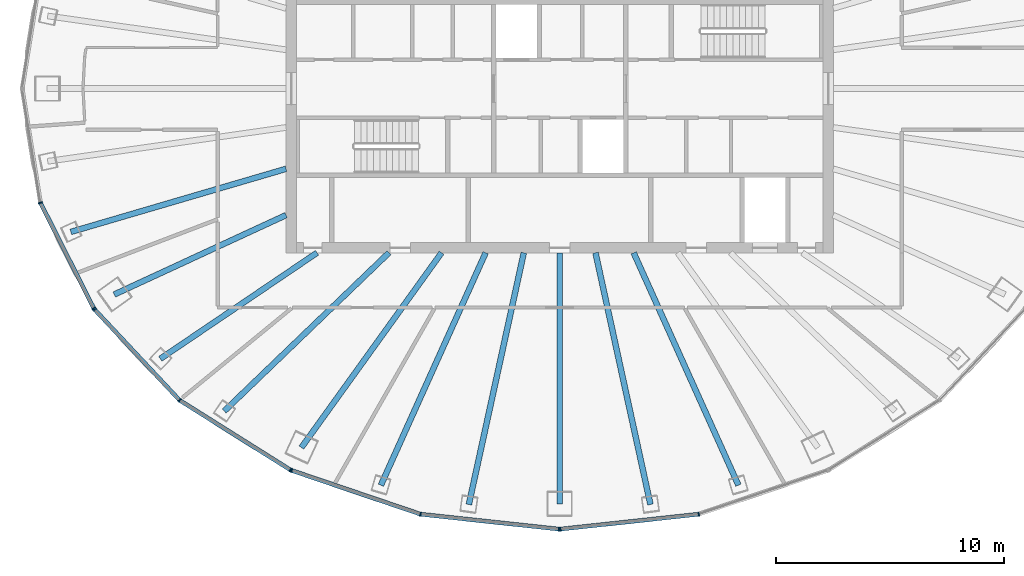
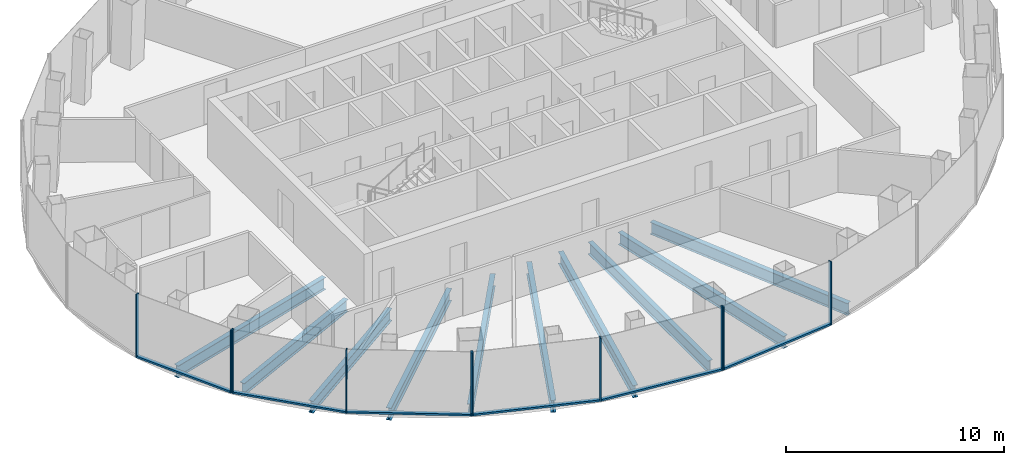
# One storey, part 2 of 13: 16 members, 10 beams, 4 elements without a shape of their own.
"""IFC4 building model written with IfcOpenShell, lengths in metres."""

import ifcopenshell
import ifcopenshell.guid

model = None  # the IFC model being written
_history = None  # IfcOwnerHistory: only IFC2X3 demands one
_inside = {}  # id of a spatial element -> (the spatial element, [elements in it])
_under = {}  # id of a project, library or spatial element -> (it, [spatial elements below it])
_declared = {}  # id of a project -> (the project, [libraries it declares])
_typed = {}  # id of a type object -> (the type object, [elements of that type])
_made_of = {}  # id of a material, layer set ... -> (it, [elements and type objects made of it])


def new_model(schema):
    """Start an empty IFC model of exactly this schema.

    Asked for "IFC4X3", IfcOpenShell would pick the latest addendum, in which some entities
    have other attributes; the version numbers below select the first issue.
    IFC2X3 requires an IfcOwnerHistory on every rooted entity: one is made here for all.
    """
    global model, _history
    if schema == "IFC4X3":
        model = ifcopenshell.file(schema_version=(4, 3, 0, 0))
    else:
        model = ifcopenshell.file(schema=schema)
    _inside.clear()
    _under.clear()
    _declared.clear()
    _typed.clear()
    _made_of.clear()
    _history = None
    if model.schema == "IFC2X3":
        org = make("IfcOrganization", Name="unknown")
        user = make(
            "IfcPersonAndOrganization",
            ThePerson=make("IfcPerson", FamilyName="unknown"),
            TheOrganization=org,
        )
        app = make(
            "IfcApplication",
            ApplicationDeveloper=org,
            Version="unknown",
            ApplicationFullName="unknown",
            ApplicationIdentifier="unknown",
        )
        _history = make(
            "IfcOwnerHistory",
            OwningUser=user,
            OwningApplication=app,
            ChangeAction="ADDED",
            CreationDate=0,
        )
    return model


def make(cls, **values):
    """One entity of the class cls with the attributes given. An attribute that is None is left unset."""
    return model.create_entity(
        cls, **{name: value for name, value in values.items() if value is not None}
    )


def rooted(cls, **values):
    """An entity with a GlobalId (a new one), such as an element, a storey or a relation."""
    return make(cls, GlobalId=ifcopenshell.guid.new(), OwnerHistory=_history, **values)


def si_unit(unit_type, name, prefix=None):
    """IfcSIUnit, for example si_unit("LENGTHUNIT", "METRE", prefix="MILLI")."""
    return make("IfcSIUnit", UnitType=unit_type, Prefix=prefix, Name=name)


def assignment(units):
    """IfcUnitAssignment: the units of a project."""
    return None if units is None else make("IfcUnitAssignment", Units=units)


def point(xyz):
    """IfcCartesianPoint."""
    return None if xyz is None else make("IfcCartesianPoint", Coordinates=xyz)


def direction(xyz):
    """IfcDirection."""
    return None if xyz is None else make("IfcDirection", DirectionRatios=xyz)


def frame(location, z_axis=None, x_axis=None):
    """IfcAxis2Placement3D, a coordinate frame: its origin and axes. An axis left out is left unset."""
    return make(
        "IfcAxis2Placement3D",
        Location=point(location),
        Axis=direction(z_axis),
        RefDirection=direction(x_axis),
    )


def frame_2d(location, x_axis=None):
    """IfcAxis2Placement2D, a coordinate frame in the plane: its origin and x axis."""
    return make(
        "IfcAxis2Placement2D", Location=point(location), RefDirection=direction(x_axis)
    )


def origin():
    """The frame at (0, 0, 0) with its axes left unset."""
    return frame((0.0, 0.0, 0.0))


def origin_2d():
    """The frame at (0, 0) in the plane with its x axis left unset."""
    return frame_2d((0.0, 0.0))


def place(relative_to, where):
    """IfcLocalPlacement: puts the frame where relative to a parent placement (None: the world)."""
    return make(
        "IfcLocalPlacement", PlacementRelTo=relative_to, RelativePlacement=where
    )


def context(
    kind, dimensions, precision=None, world=None, true_north=None, identifier=None
):
    """IfcGeometricRepresentationContext, for example the 3D "Model" context."""
    return make(
        "IfcGeometricRepresentationContext",
        ContextIdentifier=identifier,
        ContextType=kind,
        CoordinateSpaceDimension=dimensions,
        Precision=precision,
        WorldCoordinateSystem=world,
        TrueNorth=true_north,
    )


def subcontext(parent, identifier, kind, view, scale=None):
    """IfcGeometricRepresentationSubContext, for example "Body" below "Model"."""
    return make(
        "IfcGeometricRepresentationSubContext",
        ContextIdentifier=identifier,
        ContextType=kind,
        ParentContext=parent,
        TargetScale=scale,
        TargetView=view,
    )


def project(units=None, contexts=None):
    """IfcProject with its units and contexts."""
    return rooted(
        "IfcProject",
        Name="project",
        RepresentationContexts=contexts,
        UnitsInContext=assignment(units),
    )


def spatial(cls, under=None, at=None, **own):
    """A site, building, storey or space (cls), placed at a placement, below another one or the project."""
    s = rooted(cls, ObjectPlacement=at, **own)
    if under is not None:
        _under.setdefault(under.id(), (under, []))[1].append(s)
    return s


def profile(cls, at=None, kind="AREA", **sizes):
    """A parametric profile (cls). Its sizes go by their IFC names, for example OverallWidth=200.0."""
    return make(cls, ProfileType=kind, Position=at, **sizes)


def rectangle(**sizes):
    """IfcRectangleProfileDef."""
    return profile("IfcRectangleProfileDef", **sizes)


def i_section(**sizes):
    """IfcIShapeProfileDef."""
    return profile("IfcIShapeProfileDef", **sizes)


def extrude(swept, where, along, depth):
    """IfcExtrudedAreaSolid: the profile swept, set in the frame where, extruded along a direction by depth."""
    return make(
        "IfcExtrudedAreaSolid",
        SweptArea=swept,
        Position=where,
        ExtrudedDirection=direction(along),
        Depth=depth,
    )


def shape(context_of_items, identifier, shape_type, items):
    """IfcShapeRepresentation: the items that make up one representation, for example the "Body"."""
    return make(
        "IfcShapeRepresentation",
        ContextOfItems=context_of_items,
        RepresentationIdentifier=identifier,
        RepresentationType=shape_type,
        Items=items,
    )


def material(Name=None, Category=None):
    """IfcMaterial."""
    return make("IfcMaterial", Name=Name, Category=Category)


def layer(
    of_material, thickness, ventilated=None, Name=None, Category=None, Priority=None
):
    """IfcMaterialLayer: one layer of a wall or slab, of a material (None: an air gap)."""
    return make(
        "IfcMaterialLayer",
        Material=of_material,
        LayerThickness=thickness,
        IsVentilated=ventilated,
        Name=Name,
        Category=Category,
        Priority=Priority,
    )


def layer_set(layers, Name=None):
    """IfcMaterialLayerSet."""
    return make("IfcMaterialLayerSet", MaterialLayers=layers, LayerSetName=Name)


def material_profile(
    of_material, cross_section, Name=None, Category=None, Priority=None
):
    """IfcMaterialProfile: a cross section and its material."""
    return make(
        "IfcMaterialProfile",
        Name=Name,
        Material=of_material,
        Profile=cross_section,
        Priority=Priority,
        Category=Category,
    )


def profile_set(profiles, Name=None, composite=None):
    """IfcMaterialProfileSet."""
    return make(
        "IfcMaterialProfileSet",
        Name=Name,
        MaterialProfiles=profiles,
        CompositeProfile=composite,
    )


def made_of(thing, what):
    """Note that an element or type object is made of a material, layer set ...; save() writes the relation."""
    if what is not None:
        _made_of.setdefault(what.id(), (what, []))[1].append(thing)
    return thing


def type_object(cls, material=None, **own):
    """A type object (cls), such as IfcWallType, which elements share."""
    return made_of(rooted(cls, **own), material)


def element(
    cls,
    number,
    at=None,
    inside=None,
    cuts=None,
    type_object=None,
    material=None,
    context=None,
    identifier="Body",
    shape_type=None,
    held_by="IfcProductDefinitionShape",
    body=None,
    shapes=None,
    **own,
):
    """One element of the class cls, such as IfcWall. Its Tag is "e" and its number.

    at: its placement. inside: the storey or other place that contains it. cuts: it is an
    opening in that element (IfcRelVoidsElement). A single representation is given by context,
    identifier, shape_type and body (its items); several are given by shapes. held_by: the class
    of the entity that holds the representations. save() writes the other relations.
    """
    e = rooted(cls, Tag="e%d" % number, ObjectPlacement=at, **own)
    if body is not None:
        shapes = [shape(context, identifier, shape_type, body)]
    if shapes is not None:
        e.Representation = make(held_by, Representations=shapes)
    if inside is not None:
        _inside.setdefault(inside.id(), (inside, []))[1].append(e)
    if cuts is not None:
        rooted(
            "IfcRelVoidsElement", RelatingBuildingElement=cuts, RelatedOpeningElement=e
        )
    if type_object is not None:
        _typed.setdefault(type_object.id(), (type_object, []))[1].append(e)
    return made_of(e, material)


def aggregate(whole, parts):
    """IfcRelAggregates: a whole, such as a stair, and the parts it consists of."""
    return rooted("IfcRelAggregates", RelatingObject=whole, RelatedObjects=parts)


def save(model, path):
    """Write the relations noted so far, then the file.

    IfcRelAggregates (storeys below a building ...), IfcRelContainedInSpatialStructure (elements
    in a storey), IfcRelDefinesByType, IfcRelAssociatesMaterial and IfcRelDeclares: one each for
    every whole, place, type object, material and project.
    """
    for whole, parts in _under.values():
        aggregate(whole, parts)
    for where, things in _inside.values():
        rooted(
            "IfcRelContainedInSpatialStructure",
            RelatedElements=things,
            RelatingStructure=where,
        )
    for kind, things in _typed.values():
        rooted("IfcRelDefinesByType", RelatedObjects=things, RelatingType=kind)
    for what, things in _made_of.values():
        rooted("IfcRelAssociatesMaterial", RelatedObjects=things, RelatingMaterial=what)
    for by, libraries in _declared.values():
        rooted("IfcRelDeclares", RelatingContext=by, RelatedDefinitions=libraries)
    model.write(path)


model = new_model("IFC4")

# Units and contexts
model_context = context("Model", 3, precision=1e-05, world=origin(), true_north=direction((0.0, 1.0)))
body_context = subcontext(model_context, "Body", "Model", "MODEL_VIEW")
ifc_project = project(units=[si_unit("LENGTHUNIT", "METRE"), si_unit("AREAUNIT", "SQUARE_METRE"), si_unit("VOLUMEUNIT", "CUBIC_METRE"), si_unit("PLANEANGLEUNIT", "RADIAN"), si_unit("MASSUNIT", "GRAM", prefix="KILO")], contexts=[model_context])

# Site, building, storey
site_placement = place(None, origin())
site = spatial("IfcSite", under=ifc_project, at=site_placement, CompositionType="ELEMENT")
building_placement = place(site_placement, origin())
building = spatial("IfcBuilding", under=site, at=building_placement, Name="Siaravel Broadcast Tower", CompositionType="ELEMENT")
storey_placement = place(building_placement, frame((0.0, 0.0, 171.89990234375)))
storey = spatial("IfcBuildingStorey", under=building, at=storey_placement, Name="L41", CompositionType="ELEMENT", Elevation=171.89990234375)

# Beams
ifc_material_1 = material(Name="Steel S355", Category="steel")
ifc_material_profile_1 = material_profile(ifc_material_1, i_section(OverallWidth=0.2529296875, OverallDepth=0.677978515625, WebThickness=0.01171875, FlangeThickness=0.01611328125, FilletRadius=0.01513671875, at=origin_2d()))
ifc_profile_set_1 = profile_set([ifc_material_profile_1], Name="Steel S355")
beam_type = type_object("IfcBeamType", Name="BM-UB 686x254x125", PredefinedType="BEAM", material=ifc_profile_set_1)
beam_1_placement = place(storey_placement, frame((-21.438720703125, -6.28466796875, -0.489013671875), z_axis=(0.959619649, 0.281300781, 0.0), x_axis=(-0.281300781, 0.959619649, 0.0)))
element("IfcBeam", 1, at=beam_1_placement, inside=storey, type_object=beam_type, Name="Radial beam RB21", PredefinedType="BEAM", context=body_context, shape_type="SweptSolid", body=[
    extrude(i_section(OverallWidth=0.2529296875, OverallDepth=0.677978515625, WebThickness=0.01171875, FlangeThickness=0.01611328125, FilletRadius=0.01513671875, at=origin_2d()), origin(), (0.0, 0.0, 1.0), 9.8359375),
])
beam_2_placement = place(storey_placement, frame((-19.53271484375, -9.02880859375, -0.489013671875), z_axis=(0.907716412, 0.419584218, 0.0), x_axis=(-0.419584218, 0.907716412, 0.0)))
element("IfcBeam", 2, at=beam_2_placement, inside=storey, type_object=beam_type, Name="Radial beam RB22", PredefinedType="BEAM", context=body_context, shape_type="SweptSolid", body=[
    extrude(i_section(OverallWidth=0.2529296875, OverallDepth=0.677978515625, WebThickness=0.01171875, FlangeThickness=0.01611328125, FilletRadius=0.01513671875, at=origin_2d()), origin(), (0.0, 0.0, 1.0), 8.298583984375),
])
beam_3_placement = place(storey_placement, frame((-17.51416015625, -11.849609375, -0.489013671875), z_axis=(0.828232804, 0.560384175, 0.0), x_axis=(-0.560384175, 0.828232804, 0.0)))
element("IfcBeam", 3, at=beam_3_placement, inside=storey, type_object=beam_type, Name="Radial beam RB23", PredefinedType="BEAM", context=body_context, shape_type="SweptSolid", body=[
    extrude(i_section(OverallWidth=0.2529296875, OverallDepth=0.677978515625, WebThickness=0.01171875, FlangeThickness=0.01611328125, FilletRadius=0.01513671875, at=origin_2d()), origin(), (0.0, 0.0, 1.0), 8.29736328125),
])
beam_4_placement = place(storey_placement, frame((-14.7119140625, -14.14453125, -0.489013671875), z_axis=(0.72087052, 0.693069761, 0.0), x_axis=(-0.693069761, 0.72087052, 0.0)))
element("IfcBeam", 4, at=beam_4_placement, inside=storey, type_object=beam_type, Name="Radial beam RB24", PredefinedType="BEAM", context=body_context, shape_type="SweptSolid", body=[
    extrude(i_section(OverallWidth=0.2529296875, OverallDepth=0.677978515625, WebThickness=0.01171875, FlangeThickness=0.01611328125, FilletRadius=0.01513671875, at=origin_2d()), origin(), (0.0, 0.0, 1.0), 10.02001953125),
])
beam_5_placement = place(storey_placement, frame((-11.326171875, -15.74169921875, -0.489013671875), z_axis=(0.584035158, 0.811728362, 0.0), x_axis=(-0.811728362, 0.584035158, 0.0)))
element("IfcBeam", 5, at=beam_5_placement, inside=storey, type_object=beam_type, Name="Radial beam RB25", PredefinedType="BEAM", context=body_context, shape_type="SweptSolid", body=[
    extrude(i_section(OverallWidth=0.2529296875, OverallDepth=0.677978515625, WebThickness=0.01171875, FlangeThickness=0.01611328125, FilletRadius=0.01513671875, at=origin_2d()), origin(), (0.0, 0.0, 1.0), 10.52294921875),
])
beam_6_placement = place(storey_placement, frame((-7.840576171875, -17.39306640625, -0.489013671875), z_axis=(0.410964722, 0.911651247, 0.0), x_axis=(-0.911651247, 0.410964722, 0.0)))
element("IfcBeam", 6, at=beam_6_placement, inside=storey, type_object=beam_type, Name="Radial beam RB26", PredefinedType="BEAM", context=body_context, shape_type="SweptSolid", body=[
    extrude(i_section(OverallWidth=0.2529296875, OverallDepth=0.677978515625, WebThickness=0.01171875, FlangeThickness=0.01611328125, FilletRadius=0.01513671875, at=origin_2d()), origin(), (0.0, 0.0, 1.0), 11.180908203125),
])
beam_7_placement = place(storey_placement, frame((-3.982421875, -18.23974609375, -0.489013671875), z_axis=(0.21331219, 0.976984089, 0.0), x_axis=(-0.976984089, 0.21331219, 0.0)))
element("IfcBeam", 7, at=beam_7_placement, inside=storey, type_object=beam_type, Name="Radial beam RB27", PredefinedType="BEAM", context=body_context, shape_type="SweptSolid", body=[
    extrude(i_section(OverallWidth=0.2529296875, OverallDepth=0.677978515625, WebThickness=0.01171875, FlangeThickness=0.01611328125, FilletRadius=0.01513671875, at=origin_2d()), origin(), (0.0, 0.0, 1.0), 11.2998046875),
])
beam_8_placement = place(storey_placement, frame((0.0, -18.22509765625, -0.489013671875), z_axis=(0.0, 1.0, 0.0), x_axis=(-1.0, 0.0, 0.0)))
element("IfcBeam", 8, at=beam_8_placement, inside=storey, type_object=beam_type, Name="Radial beam RB28", PredefinedType="BEAM", context=body_context, shape_type="SweptSolid", body=[
    extrude(i_section(OverallWidth=0.2529296875, OverallDepth=0.677978515625, WebThickness=0.01171875, FlangeThickness=0.01611328125, FilletRadius=0.01513671875, at=origin_2d()), origin(), (0.0, 0.0, 1.0), 11.025146484375),
])
beam_9_placement = place(storey_placement, frame((3.982421875, -18.23974609375, -0.489013671875), z_axis=(-0.21331219, 0.976984089, 0.0), x_axis=(-0.976984089, -0.21331219, 0.0)))
element("IfcBeam", 9, at=beam_9_placement, inside=storey, type_object=beam_type, Name="Radial beam RB29", PredefinedType="BEAM", context=body_context, shape_type="SweptSolid", body=[
    extrude(i_section(OverallWidth=0.2529296875, OverallDepth=0.677978515625, WebThickness=0.01171875, FlangeThickness=0.01611328125, FilletRadius=0.01513671875, at=origin_2d()), origin(), (0.0, 0.0, 1.0), 11.2998046875),
])
beam_10_placement = place(storey_placement, frame((7.840576171875, -17.39306640625, -0.489013671875), z_axis=(-0.410964722, 0.911651247, 0.0), x_axis=(-0.911651247, -0.410964722, 0.0)))
element("IfcBeam", 10, at=beam_10_placement, inside=storey, type_object=beam_type, Name="Radial beam RB30", PredefinedType="BEAM", context=body_context, shape_type="SweptSolid", body=[
    extrude(i_section(OverallWidth=0.2529296875, OverallDepth=0.677978515625, WebThickness=0.01171875, FlangeThickness=0.01611328125, FilletRadius=0.01513671875, at=origin_2d()), origin(), (0.0, 0.0, 1.0), 11.180908203125),
])

# Curtain wall, members
ifc_material_2 = material(Name="Aluminium 6063-T6", Category="aluminium")
ifc_layer = layer(ifc_material_2, 0.179931640625)
ifc_layer_set = layer_set([ifc_layer], Name="Aluminium 6063-T6")
curtain_wall_type = type_object("IfcCurtainWallType", Name="Unitised curtain wall, zone 3", PredefinedType="NOTDEFINED", material=ifc_layer_set)
curtain_wall_1_placement = place(storey_placement, origin())
curtain_wall_1 = element("IfcCurtainWall", 11, at=curtain_wall_1_placement, inside=storey, type_object=curtain_wall_type, Name="L41 Unitised curtain wall, zone 3 07", PredefinedType="NOTDEFINED")
ifc_material_profile_2 = material_profile(ifc_material_2, rectangle(XDim=0.179931640625, YDim=0.06005859375, at=origin_2d()))
ifc_profile_set_2 = profile_set([ifc_material_profile_2], Name="Aluminium 6063-T6")
member_type_1 = type_object("IfcMemberType", Name="CW-Z3 mullion", PredefinedType="MULLION", material=ifc_profile_set_2)
member_1_placement = place(storey_placement, frame((-22.7744140625, -5.003662109375, 0.0), z_axis=(0.0, 0.0, 1.0), x_axis=(0.951177137, 0.308645515, 0.0)))
member_1 = element("IfcMember", 12, at=member_1_placement, type_object=member_type_1, Name="CW-Z3 mullion 2", PredefinedType="MULLION", context=body_context, shape_type="SweptSolid", body=[
    extrude(rectangle(XDim=0.179931640625, YDim=0.06005859375, at=origin_2d()), origin(), (0.0, 0.0, 1.0), 3.550048828125),
])
member_2_placement = place(storey_placement, frame((-20.430908203125, -9.63818359375, 0.0), z_axis=(0.0, 0.0, 1.0), x_axis=(0.892391915, 0.4512612, 0.0)))
member_2 = element("IfcMember", 13, at=member_2_placement, type_object=member_type_1, Name="CW-Z3 mullion 3", PredefinedType="MULLION", context=body_context, shape_type="SweptSolid", body=[
    extrude(rectangle(XDim=0.179931640625, YDim=0.06005859375, at=origin_2d()), origin(), (0.0, 0.0, 1.0), 3.550048828125),
])

curtain_wall_2_placement = place(storey_placement, origin())
curtain_wall_2 = element("IfcCurtainWall", 14, at=curtain_wall_2_placement, inside=storey, type_object=curtain_wall_type, Name="L41 Unitised curtain wall, zone 3 08", PredefinedType="NOTDEFINED")
member_3_placement = place(storey_placement, frame((-20.396728515625, -9.68701171875, 0.0), z_axis=(0.0, 0.0, 1.0), x_axis=(0.729804878, 0.683655498, 0.0)))
member_3 = element("IfcMember", 15, at=member_3_placement, type_object=member_type_1, Name="CW-Z3 mullion 1", PredefinedType="MULLION", context=body_context, shape_type="SweptSolid", body=[
    extrude(rectangle(XDim=0.179931640625, YDim=0.06005859375, at=origin_2d()), origin(), (0.0, 0.0, 1.0), 3.550048828125),
])
member_4_placement = place(storey_placement, frame((-16.6689453125, -13.66650390625, 0.0), z_axis=(0.0, 0.0, 1.0), x_axis=(0.63621823, 0.771509147, 0.0)))
member_4 = element("IfcMember", 16, at=member_4_placement, type_object=member_type_1, Name="CW-Z3 mullion 2", PredefinedType="MULLION", context=body_context, shape_type="SweptSolid", body=[
    extrude(rectangle(XDim=0.179931640625, YDim=0.06005859375, at=origin_2d()), origin(), (0.0, 0.0, 1.0), 3.550048828125),
])
member_5_placement = place(storey_placement, frame((-11.81103515625, -16.7197265625, 0.0), z_axis=(0.0, 0.0, 1.0), x_axis=(0.532148789, 0.846650852, 0.0)))
member_5 = element("IfcMember", 17, at=member_5_placement, type_object=member_type_1, Name="CW-Z3 mullion 3", PredefinedType="MULLION", context=body_context, shape_type="SweptSolid", body=[
    extrude(rectangle(XDim=0.179931640625, YDim=0.06005859375, at=origin_2d()), origin(), (0.0, 0.0, 1.0), 3.550048828125),
])

curtain_wall_3_placement = place(storey_placement, origin())
curtain_wall_3 = element("IfcCurtainWall", 18, at=curtain_wall_3_placement, inside=storey, type_object=curtain_wall_type, Name="L41 Unitised curtain wall, zone 3 09", PredefinedType="NOTDEFINED")
member_6_placement = place(storey_placement, frame((-11.75732421875, -16.745361328125, 0.0), z_axis=(0.0, 0.0, 1.0), x_axis=(0.321300283, 0.946977364, 0.0)))
member_6 = element("IfcMember", 19, at=member_6_placement, type_object=member_type_1, Name="CW-Z3 mullion 1", PredefinedType="MULLION", context=body_context, shape_type="SweptSolid", body=[
    extrude(rectangle(XDim=0.179931640625, YDim=0.06005859375, at=origin_2d()), origin(), (0.0, 0.0, 1.0), 3.550048828125),
])
member_7_placement = place(storey_placement, frame((-6.100341796875, -18.664794921875, 0.0), z_axis=(0.0, 0.0, 1.0), x_axis=(0.215557831, 0.976491076, 0.0)))
member_7 = element("IfcMember", 20, at=member_7_placement, type_object=member_type_1, Name="CW-Z3 mullion 2", PredefinedType="MULLION", context=body_context, shape_type="SweptSolid", body=[
    extrude(rectangle(XDim=0.179931640625, YDim=0.06005859375, at=origin_2d()), origin(), (0.0, 0.0, 1.0), 3.550048828125),
])
member_8_placement = place(storey_placement, frame((-0.02978515625, -19.3193359375, 0.0), z_axis=(0.0, 0.0, 1.0), x_axis=(0.107217362, 0.994235605, 0.0)))
member_8 = element("IfcMember", 21, at=member_8_placement, type_object=member_type_1, Name="CW-Z3 mullion 3", PredefinedType="MULLION", context=body_context, shape_type="SweptSolid", body=[
    extrude(rectangle(XDim=0.179931640625, YDim=0.06005859375, at=origin_2d()), origin(), (0.0, 0.0, 1.0), 3.550048828125),
])

curtain_wall_4_placement = place(storey_placement, origin())
curtain_wall_4 = element("IfcCurtainWall", 22, at=curtain_wall_4_placement, inside=storey, type_object=curtain_wall_type, Name="L41 Unitised curtain wall, zone 3 10", PredefinedType="NOTDEFINED")
member_9_placement = place(storey_placement, frame((0.02978515625, -19.3193359375, 0.0), z_axis=(0.0, 0.0, 1.0), x_axis=(-0.107217362, 0.994235605, 0.0)))
member_9 = element("IfcMember", 23, at=member_9_placement, type_object=member_type_1, Name="CW-Z3 mullion 1", PredefinedType="MULLION", context=body_context, shape_type="SweptSolid", body=[
    extrude(rectangle(XDim=0.179931640625, YDim=0.06005859375, at=origin_2d()), origin(), (0.0, 0.0, 1.0), 3.550048828125),
])
member_10_placement = place(storey_placement, frame((6.100341796875, -18.664794921875, 0.0), z_axis=(0.0, 0.0, 1.0), x_axis=(-0.215557831, 0.976491076, 0.0)))
member_10 = element("IfcMember", 24, at=member_10_placement, type_object=member_type_1, Name="CW-Z3 mullion 2", PredefinedType="MULLION", context=body_context, shape_type="SweptSolid", body=[
    extrude(rectangle(XDim=0.179931640625, YDim=0.06005859375, at=origin_2d()), origin(), (0.0, 0.0, 1.0), 3.550048828125),
])

# Member
ifc_material_profile_3 = material_profile(ifc_material_2, rectangle(XDim=0.179931640625, YDim=0.10009765625, at=origin_2d()))
ifc_profile_set_3 = profile_set([ifc_material_profile_3], Name="Aluminium 6063-T6")
member_type_2 = type_object("IfcMemberType", Name="CW-Z3 transom", PredefinedType="USERDEFINED", material=ifc_profile_set_3)
member_11_placement = place(storey_placement, frame((-22.760986328125, -5.030517578125, 0.050048828125), z_axis=(0.451279947, -0.892382435, 0.0), x_axis=(0.892382435, 0.451279947, 0.0)))
member_11 = element("IfcMember", 25, at=member_11_placement, type_object=member_type_2, Name="CW-Z3 transom 2", ObjectType="TRANSOM", PredefinedType="USERDEFINED", context=body_context, shape_type="SweptSolid", body=[
    extrude(rectangle(XDim=0.179931640625, YDim=0.10009765625, at=origin_2d()), origin(), (0.0, 0.0, 1.0), 5.133544921875),
])

aggregate(curtain_wall_1, [member_1, member_2, member_11])

member_12_placement = place(storey_placement, frame((-20.376220703125, -9.708984375, 0.050048828125), z_axis=(0.683663984, -0.729796929, 0.0), x_axis=(0.729796929, 0.683663984, 0.0)))
member_12 = element("IfcMember", 26, at=member_12_placement, type_object=member_type_2, Name="CW-Z3 transom 1", ObjectType="TRANSOM", PredefinedType="USERDEFINED", context=body_context, shape_type="SweptSolid", body=[
    extrude(rectangle(XDim=0.179931640625, YDim=0.10009765625, at=origin_2d()), origin(), (0.0, 0.0, 1.0), 5.392578125),
])

member_13_placement = place(storey_placement, frame((-16.6435546875, -13.682373046875, 0.050048828125), z_axis=(0.84664762, -0.532153933, 0.0), x_axis=(0.532153933, 0.84664762, 0.0)))
member_13 = element("IfcMember", 27, at=member_13_placement, type_object=member_type_2, Name="CW-Z3 transom 2", ObjectType="TRANSOM", PredefinedType="USERDEFINED", context=body_context, shape_type="SweptSolid", body=[
    extrude(rectangle(XDim=0.179931640625, YDim=0.10009765625, at=origin_2d()), origin(), (0.0, 0.0, 1.0), 5.677734375),
])

aggregate(curtain_wall_2, [member_3, member_4, member_5, member_12, member_13])

member_14_placement = place(storey_placement, frame((-11.72900390625, -16.7548828125, 0.050048828125), z_axis=(0.946972868, -0.321313534, 0.0), x_axis=(0.321313534, 0.946972868, 0.0)))
member_14 = element("IfcMember", 28, at=member_14_placement, type_object=member_type_2, Name="CW-Z3 transom 1", ObjectType="TRANSOM", PredefinedType="USERDEFINED", context=body_context, shape_type="SweptSolid", body=[
    extrude(rectangle(XDim=0.179931640625, YDim=0.10009765625, at=origin_2d()), origin(), (0.0, 0.0, 1.0), 5.91357421875),
])

member_15_placement = place(storey_placement, frame((-6.070556640625, -18.66796875, 0.050048828125), z_axis=(0.994235587, -0.107217526, 0.0), x_axis=(0.107217526, 0.994235587, 0.0)))
member_15 = element("IfcMember", 29, at=member_15_placement, type_object=member_type_2, Name="CW-Z3 transom 2", ObjectType="TRANSOM", PredefinedType="USERDEFINED", context=body_context, shape_type="SweptSolid", body=[
    extrude(rectangle(XDim=0.179931640625, YDim=0.10009765625, at=origin_2d()), origin(), (0.0, 0.0, 1.0), 6.045654296875),
])

aggregate(curtain_wall_3, [member_6, member_7, member_8, member_14, member_15])

member_16_placement = place(storey_placement, frame((0.059814453125, -19.316162109375, 0.050048828125), z_axis=(0.994235587, 0.107217526, 0.0), x_axis=(-0.107217526, 0.994235587, 0.0)))
member_16 = element("IfcMember", 30, at=member_16_placement, type_object=member_type_2, Name="CW-Z3 transom 1", ObjectType="TRANSOM", PredefinedType="USERDEFINED", context=body_context, shape_type="SweptSolid", body=[
    extrude(rectangle(XDim=0.179931640625, YDim=0.10009765625, at=origin_2d()), origin(), (0.0, 0.0, 1.0), 6.045654296875),
])

aggregate(curtain_wall_4, [member_9, member_10, member_16])

save(model, "model.ifc")
